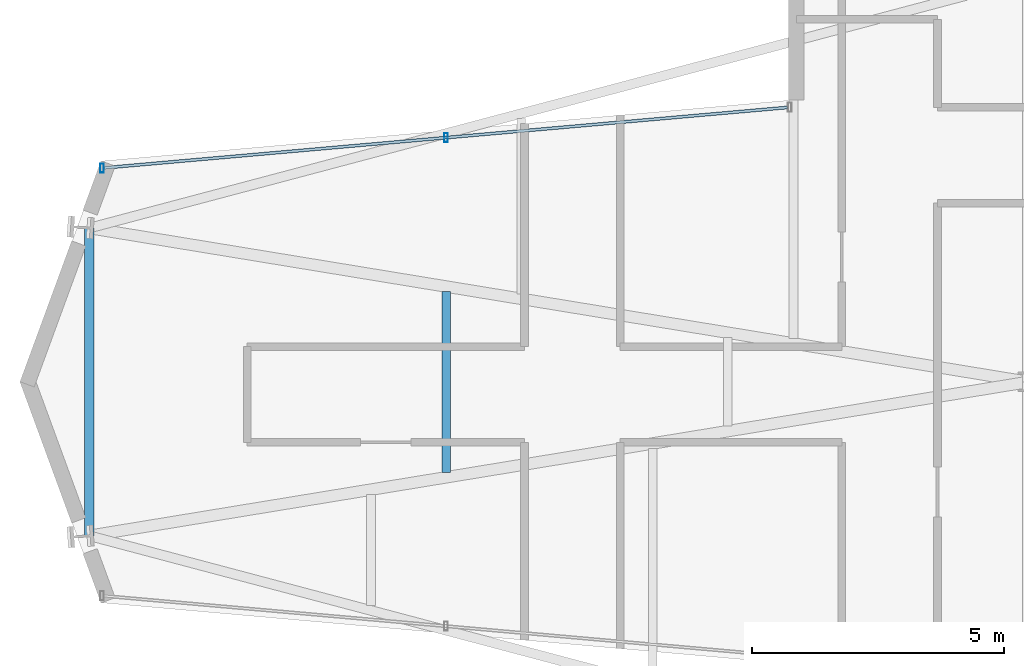
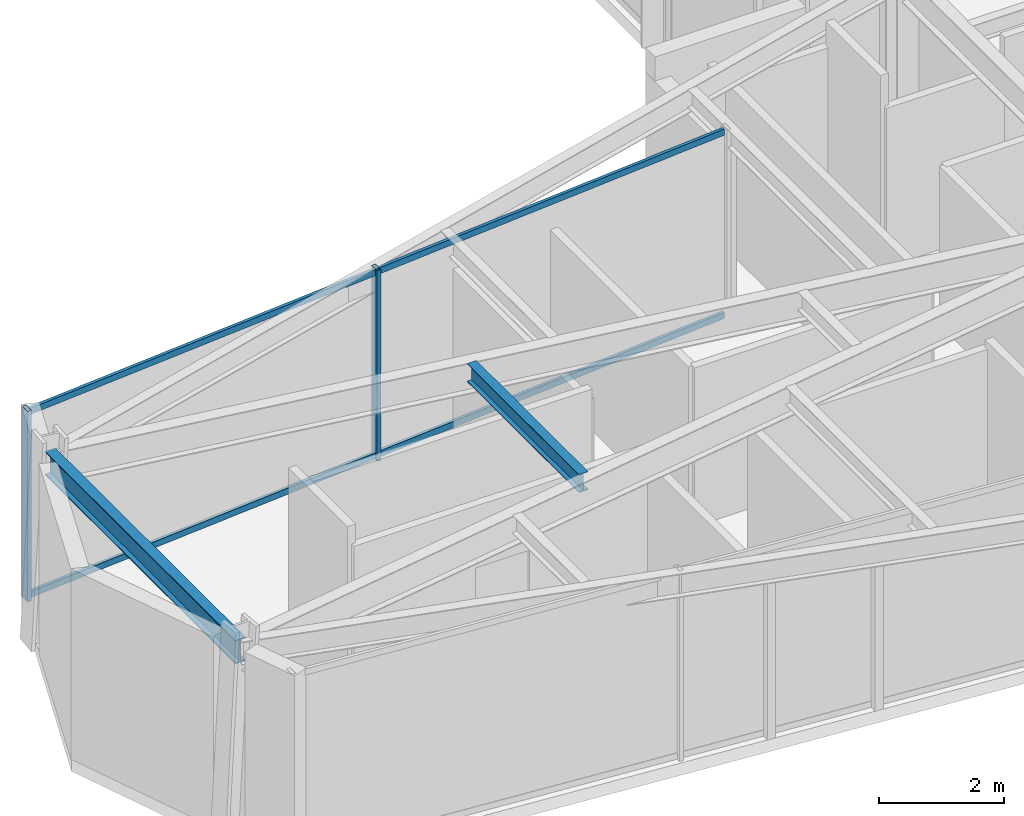
# One storey, part 9 of 23: 4 members, 2 beams, 1 element without a shape of its own.
"""IFC4 building model written with IfcOpenShell, lengths in metres."""

import ifcopenshell
import ifcopenshell.guid

model = None  # the IFC model being written
_history = None  # IfcOwnerHistory: only IFC2X3 demands one
_inside = {}  # id of a spatial element -> (the spatial element, [elements in it])
_under = {}  # id of a project, library or spatial element -> (it, [spatial elements below it])
_declared = {}  # id of a project -> (the project, [libraries it declares])
_typed = {}  # id of a type object -> (the type object, [elements of that type])
_made_of = {}  # id of a material, layer set ... -> (it, [elements and type objects made of it])


def new_model(schema):
    """Start an empty IFC model of exactly this schema.

    Asked for "IFC4X3", IfcOpenShell would pick the latest addendum, in which some entities
    have other attributes; the version numbers below select the first issue.
    IFC2X3 requires an IfcOwnerHistory on every rooted entity: one is made here for all.
    """
    global model, _history
    if schema == "IFC4X3":
        model = ifcopenshell.file(schema_version=(4, 3, 0, 0))
    else:
        model = ifcopenshell.file(schema=schema)
    _inside.clear()
    _under.clear()
    _declared.clear()
    _typed.clear()
    _made_of.clear()
    _history = None
    if model.schema == "IFC2X3":
        org = make("IfcOrganization", Name="unknown")
        user = make(
            "IfcPersonAndOrganization",
            ThePerson=make("IfcPerson", FamilyName="unknown"),
            TheOrganization=org,
        )
        app = make(
            "IfcApplication",
            ApplicationDeveloper=org,
            Version="unknown",
            ApplicationFullName="unknown",
            ApplicationIdentifier="unknown",
        )
        _history = make(
            "IfcOwnerHistory",
            OwningUser=user,
            OwningApplication=app,
            ChangeAction="ADDED",
            CreationDate=0,
        )
    return model


def make(cls, **values):
    """One entity of the class cls with the attributes given. An attribute that is None is left unset."""
    return model.create_entity(
        cls, **{name: value for name, value in values.items() if value is not None}
    )


def rooted(cls, **values):
    """An entity with a GlobalId (a new one), such as an element, a storey or a relation."""
    return make(cls, GlobalId=ifcopenshell.guid.new(), OwnerHistory=_history, **values)


def si_unit(unit_type, name, prefix=None):
    """IfcSIUnit, for example si_unit("LENGTHUNIT", "METRE", prefix="MILLI")."""
    return make("IfcSIUnit", UnitType=unit_type, Prefix=prefix, Name=name)


def assignment(units):
    """IfcUnitAssignment: the units of a project."""
    return None if units is None else make("IfcUnitAssignment", Units=units)


def point(xyz):
    """IfcCartesianPoint."""
    return None if xyz is None else make("IfcCartesianPoint", Coordinates=xyz)


def direction(xyz):
    """IfcDirection."""
    return None if xyz is None else make("IfcDirection", DirectionRatios=xyz)


def frame(location, z_axis=None, x_axis=None):
    """IfcAxis2Placement3D, a coordinate frame: its origin and axes. An axis left out is left unset."""
    return make(
        "IfcAxis2Placement3D",
        Location=point(location),
        Axis=direction(z_axis),
        RefDirection=direction(x_axis),
    )


def frame_2d(location, x_axis=None):
    """IfcAxis2Placement2D, a coordinate frame in the plane: its origin and x axis."""
    return make(
        "IfcAxis2Placement2D", Location=point(location), RefDirection=direction(x_axis)
    )


def origin():
    """The frame at (0, 0, 0) with its axes left unset."""
    return frame((0.0, 0.0, 0.0))


def origin_2d():
    """The frame at (0, 0) in the plane with its x axis left unset."""
    return frame_2d((0.0, 0.0))


def place(relative_to, where):
    """IfcLocalPlacement: puts the frame where relative to a parent placement (None: the world)."""
    return make(
        "IfcLocalPlacement", PlacementRelTo=relative_to, RelativePlacement=where
    )


def context(
    kind, dimensions, precision=None, world=None, true_north=None, identifier=None
):
    """IfcGeometricRepresentationContext, for example the 3D "Model" context."""
    return make(
        "IfcGeometricRepresentationContext",
        ContextIdentifier=identifier,
        ContextType=kind,
        CoordinateSpaceDimension=dimensions,
        Precision=precision,
        WorldCoordinateSystem=world,
        TrueNorth=true_north,
    )


def subcontext(parent, identifier, kind, view, scale=None):
    """IfcGeometricRepresentationSubContext, for example "Body" below "Model"."""
    return make(
        "IfcGeometricRepresentationSubContext",
        ContextIdentifier=identifier,
        ContextType=kind,
        ParentContext=parent,
        TargetScale=scale,
        TargetView=view,
    )


def project(units=None, contexts=None):
    """IfcProject with its units and contexts."""
    return rooted(
        "IfcProject",
        Name="project",
        RepresentationContexts=contexts,
        UnitsInContext=assignment(units),
    )


def spatial(cls, under=None, at=None, **own):
    """A site, building, storey or space (cls), placed at a placement, below another one or the project."""
    s = rooted(cls, ObjectPlacement=at, **own)
    if under is not None:
        _under.setdefault(under.id(), (under, []))[1].append(s)
    return s


def profile(cls, at=None, kind="AREA", **sizes):
    """A parametric profile (cls). Its sizes go by their IFC names, for example OverallWidth=200.0."""
    return make(cls, ProfileType=kind, Position=at, **sizes)


def hollow_rectangle(**sizes):
    """IfcRectangleHollowProfileDef."""
    return profile("IfcRectangleHollowProfileDef", **sizes)


def i_section(**sizes):
    """IfcIShapeProfileDef."""
    return profile("IfcIShapeProfileDef", **sizes)


def extrude(swept, where, along, depth):
    """IfcExtrudedAreaSolid: the profile swept, set in the frame where, extruded along a direction by depth."""
    return make(
        "IfcExtrudedAreaSolid",
        SweptArea=swept,
        Position=where,
        ExtrudedDirection=direction(along),
        Depth=depth,
    )


def shape(context_of_items, identifier, shape_type, items):
    """IfcShapeRepresentation: the items that make up one representation, for example the "Body"."""
    return make(
        "IfcShapeRepresentation",
        ContextOfItems=context_of_items,
        RepresentationIdentifier=identifier,
        RepresentationType=shape_type,
        Items=items,
    )


def material(Name=None, Category=None):
    """IfcMaterial."""
    return make("IfcMaterial", Name=Name, Category=Category)


def layer(
    of_material, thickness, ventilated=None, Name=None, Category=None, Priority=None
):
    """IfcMaterialLayer: one layer of a wall or slab, of a material (None: an air gap)."""
    return make(
        "IfcMaterialLayer",
        Material=of_material,
        LayerThickness=thickness,
        IsVentilated=ventilated,
        Name=Name,
        Category=Category,
        Priority=Priority,
    )


def layer_set(layers, Name=None):
    """IfcMaterialLayerSet."""
    return make("IfcMaterialLayerSet", MaterialLayers=layers, LayerSetName=Name)


def material_profile(
    of_material, cross_section, Name=None, Category=None, Priority=None
):
    """IfcMaterialProfile: a cross section and its material."""
    return make(
        "IfcMaterialProfile",
        Name=Name,
        Material=of_material,
        Profile=cross_section,
        Priority=Priority,
        Category=Category,
    )


def profile_set(profiles, Name=None, composite=None):
    """IfcMaterialProfileSet."""
    return make(
        "IfcMaterialProfileSet",
        Name=Name,
        MaterialProfiles=profiles,
        CompositeProfile=composite,
    )


def made_of(thing, what):
    """Note that an element or type object is made of a material, layer set ...; save() writes the relation."""
    if what is not None:
        _made_of.setdefault(what.id(), (what, []))[1].append(thing)
    return thing


def type_object(cls, material=None, **own):
    """A type object (cls), such as IfcWallType, which elements share."""
    return made_of(rooted(cls, **own), material)


def element(
    cls,
    number,
    at=None,
    inside=None,
    cuts=None,
    type_object=None,
    material=None,
    context=None,
    identifier="Body",
    shape_type=None,
    held_by="IfcProductDefinitionShape",
    body=None,
    shapes=None,
    **own,
):
    """One element of the class cls, such as IfcWall. Its Tag is "e" and its number.

    at: its placement. inside: the storey or other place that contains it. cuts: it is an
    opening in that element (IfcRelVoidsElement). A single representation is given by context,
    identifier, shape_type and body (its items); several are given by shapes. held_by: the class
    of the entity that holds the representations. save() writes the other relations.
    """
    e = rooted(cls, Tag="e%d" % number, ObjectPlacement=at, **own)
    if body is not None:
        shapes = [shape(context, identifier, shape_type, body)]
    if shapes is not None:
        e.Representation = make(held_by, Representations=shapes)
    if inside is not None:
        _inside.setdefault(inside.id(), (inside, []))[1].append(e)
    if cuts is not None:
        rooted(
            "IfcRelVoidsElement", RelatingBuildingElement=cuts, RelatedOpeningElement=e
        )
    if type_object is not None:
        _typed.setdefault(type_object.id(), (type_object, []))[1].append(e)
    return made_of(e, material)


def aggregate(whole, parts):
    """IfcRelAggregates: a whole, such as a stair, and the parts it consists of."""
    return rooted("IfcRelAggregates", RelatingObject=whole, RelatedObjects=parts)


def save(model, path):
    """Write the relations noted so far, then the file.

    IfcRelAggregates (storeys below a building ...), IfcRelContainedInSpatialStructure (elements
    in a storey), IfcRelDefinesByType, IfcRelAssociatesMaterial and IfcRelDeclares: one each for
    every whole, place, type object, material and project.
    """
    for whole, parts in _under.values():
        aggregate(whole, parts)
    for where, things in _inside.values():
        rooted(
            "IfcRelContainedInSpatialStructure",
            RelatedElements=things,
            RelatingStructure=where,
        )
    for kind, things in _typed.values():
        rooted("IfcRelDefinesByType", RelatedObjects=things, RelatingType=kind)
    for what, things in _made_of.values():
        rooted("IfcRelAssociatesMaterial", RelatedObjects=things, RelatingMaterial=what)
    for by, libraries in _declared.values():
        rooted("IfcRelDeclares", RelatingContext=by, RelatedDefinitions=libraries)
    model.write(path)


model = new_model("IFC4")

# Units and contexts
model_context = context("Model", 3, precision=1e-05, world=origin(), true_north=direction((0.0, 1.0)))
body_context = subcontext(model_context, "Body", "Model", "MODEL_VIEW")
ifc_project = project(units=[si_unit("LENGTHUNIT", "METRE"), si_unit("AREAUNIT", "SQUARE_METRE"), si_unit("VOLUMEUNIT", "CUBIC_METRE"), si_unit("PLANEANGLEUNIT", "RADIAN"), si_unit("MASSUNIT", "GRAM", prefix="KILO")], contexts=[model_context])

# Site, building, storey
site_placement = place(None, origin())
site = spatial("IfcSite", under=ifc_project, at=site_placement, CompositionType="ELEMENT")
building_placement = place(site_placement, origin())
building = spatial("IfcBuilding", under=site, at=building_placement, Name="Veymaron Broadcast Tower", CompositionType="ELEMENT")
storey_placement = place(building_placement, frame((0.0, 0.0, 177.60009765625)))
storey = spatial("IfcBuildingStorey", under=building, at=storey_placement, Name="L41", CompositionType="ELEMENT", Elevation=177.60009765625)

# Beams
ifc_material_1 = material(Name="Structural steel ASTM A992 Gr 50", Category="steel")
ifc_material_profile_1 = material_profile(ifc_material_1, i_section(OverallWidth=0.1708984375, OverallDepth=0.35498046875, WebThickness=0.007080078125, FlangeThickness=0.01171875, at=origin_2d()), Name="W360X51")
ifc_profile_set_1 = profile_set([ifc_material_profile_1], Name="Structural steel ASTM A992 Gr 50")
beam_type_1 = type_object("IfcBeamType", Name="BM-JS2", PredefinedType="JOIST", material=ifc_profile_set_1)
beam_1_placement = place(storey_placement, frame((19.643798828125, 22.205810546875, 3.552490234375), z_axis=(0.0, 1.0, 0.0), x_axis=(-1.0, 0.0, 0.0)))
element("IfcBeam", 1, at=beam_1_placement, inside=storey, type_object=beam_type_1, Name="L41 Arm-A secondary joist 1M", PredefinedType="JOIST", context=body_context, shape_type="SweptSolid", body=[
    extrude(i_section(OverallWidth=0.1708984375, OverallDepth=0.35498046875, WebThickness=0.007080078125, FlangeThickness=0.01171875, at=origin_2d()), origin(), (0.0, 0.0, 1.0), 3.58837890625),
])
ifc_material_profile_2 = material_profile(ifc_material_1, i_section(OverallWidth=0.19091796875, OverallDepth=0.4599609375, WebThickness=0.010009765625, FlangeThickness=0.01611328125, at=origin_2d()), Name="W460X82")
ifc_profile_set_2 = profile_set([ifc_material_profile_2], Name="Structural steel ASTM A992 Gr 50")
beam_type_2 = type_object("IfcBeamType", Name="BM-SP1", PredefinedType="SPANDREL", material=ifc_profile_set_2)
beam_2_placement = place(storey_placement, frame((12.56103515625, 20.945068359375, 3.5), z_axis=(0.0, 1.0, 0.0), x_axis=(-1.0, 0.0, 0.0)))
element("IfcBeam", 2, at=beam_2_placement, inside=storey, type_object=beam_type_2, Name="L41 primary structural floor girder", PredefinedType="SPANDREL", context=body_context, shape_type="SweptSolid", body=[
    extrude(i_section(OverallWidth=0.19091796875, OverallDepth=0.4599609375, WebThickness=0.010009765625, FlangeThickness=0.01611328125, at=origin_2d()), origin(), (0.0, 0.0, 1.0), 6.10986328125),
])

# Curtain wall, members
ifc_material_2 = material(Name="Anodised aluminium AA 6063-T6 and laminated low-E dark glass", Category="aluminium")
ifc_layer = layer(ifc_material_2, 0.179931640625)
ifc_layer_set = layer_set([ifc_layer], Name="Anodised aluminium AA 6063-T6 and laminated low-E dark glass")
curtain_wall_type = type_object("IfcCurtainWallType", Name="CW-SYS-03", PredefinedType="NOTDEFINED", material=ifc_layer_set)
curtain_wall_placement = place(storey_placement, origin())
curtain_wall = element("IfcCurtainWall", 3, at=curtain_wall_placement, inside=storey, type_object=curtain_wall_type, Name="L41 dark-glass curtain wall CW-L41-E11-1", PredefinedType="NOTDEFINED")
ifc_material_3 = material(Name="Anodised aluminium AA 6063-T6", Category="aluminium")
ifc_material_profile_3 = material_profile(ifc_material_3, hollow_rectangle(XDim=0.074951171875, YDim=0.179931640625, WallThickness=0.0048828125, at=origin_2d()), Name="AL180X75X5")
ifc_profile_set_3 = profile_set([ifc_material_profile_3], Name="Anodised aluminium AA 6063-T6")
member_type_1 = type_object("IfcMemberType", Name="CW-MUL-02", PredefinedType="MULLION", material=ifc_profile_set_3)
member_1_placement = place(storey_placement, frame((19.640380859375, 28.849609375, 0.0), z_axis=(0.0, 0.0, 1.0), x_axis=(1.0, 0.0, 0.0)))
member_1 = element("IfcMember", 4, at=member_1_placement, type_object=member_type_1, Name="CW-L41-E11-1 mullion 1", PredefinedType="MULLION", context=body_context, shape_type="SweptSolid", body=[
    extrude(hollow_rectangle(XDim=0.074951171875, YDim=0.179931640625, WallThickness=0.0048828125, at=origin_2d()), origin(), (0.0, 0.0, 1.0), 3.72998046875),
])
member_2_placement = place(storey_placement, frame((12.812255859375, 28.24560546875, 0.0), z_axis=(0.0, 0.0, 1.0), x_axis=(1.0, 0.0, 0.0)))
member_2 = element("IfcMember", 5, at=member_2_placement, type_object=member_type_1, Name="CW-L41-E11-1 mullion 2", PredefinedType="MULLION", context=body_context, shape_type="SweptSolid", body=[
    extrude(hollow_rectangle(XDim=0.074951171875, YDim=0.179931640625, WallThickness=0.0048828125, at=origin_2d()), origin(), (0.0, 0.0, 1.0), 3.72998046875),
])
ifc_material_profile_4 = material_profile(ifc_material_3, hollow_rectangle(XDim=0.06005859375, YDim=0.1201171875, WallThickness=0.00390625, at=origin_2d()), Name="AL120X60X4")
ifc_profile_set_4 = profile_set([ifc_material_profile_4], Name="Anodised aluminium AA 6063-T6")
member_type_2 = type_object("IfcMemberType", Name="CW-TRN-02", PredefinedType="USERDEFINED", material=ifc_profile_set_4)
member_3_placement = place(storey_placement, frame((26.41845703125, 29.44921875, 0.06982421875), z_axis=(-0.996110099516, -0.088117362883, 0.0), x_axis=(0.088117362883, -0.996110099516, 0.0)))
member_3 = element("IfcMember", 6, at=member_3_placement, type_object=member_type_2, Name="CW-L41-E11-1 transom B", ObjectType="TRANSOM", PredefinedType="USERDEFINED", context=body_context, shape_type="SweptSolid", body=[
    extrude(hollow_rectangle(XDim=0.06005859375, YDim=0.1201171875, WallThickness=0.00390625, at=origin_2d()), origin(), (0.0, 0.0, 1.0), 13.609375),
])
member_4_placement = place(storey_placement, frame((26.41845703125, 29.44921875, 3.659912109375), z_axis=(-0.996110099516, -0.088117362883, 0.0), x_axis=(0.088117362883, -0.996110099516, 0.0)))
member_4 = element("IfcMember", 7, at=member_4_placement, type_object=member_type_2, Name="CW-L41-E11-1 transom T", ObjectType="TRANSOM", PredefinedType="USERDEFINED", context=body_context, shape_type="SweptSolid", body=[
    extrude(hollow_rectangle(XDim=0.06005859375, YDim=0.1201171875, WallThickness=0.00390625, at=origin_2d()), origin(), (0.0, 0.0, 1.0), 13.609375),
])
aggregate(curtain_wall, [member_1, member_2, member_3, member_4])

save(model, "model.ifc")
